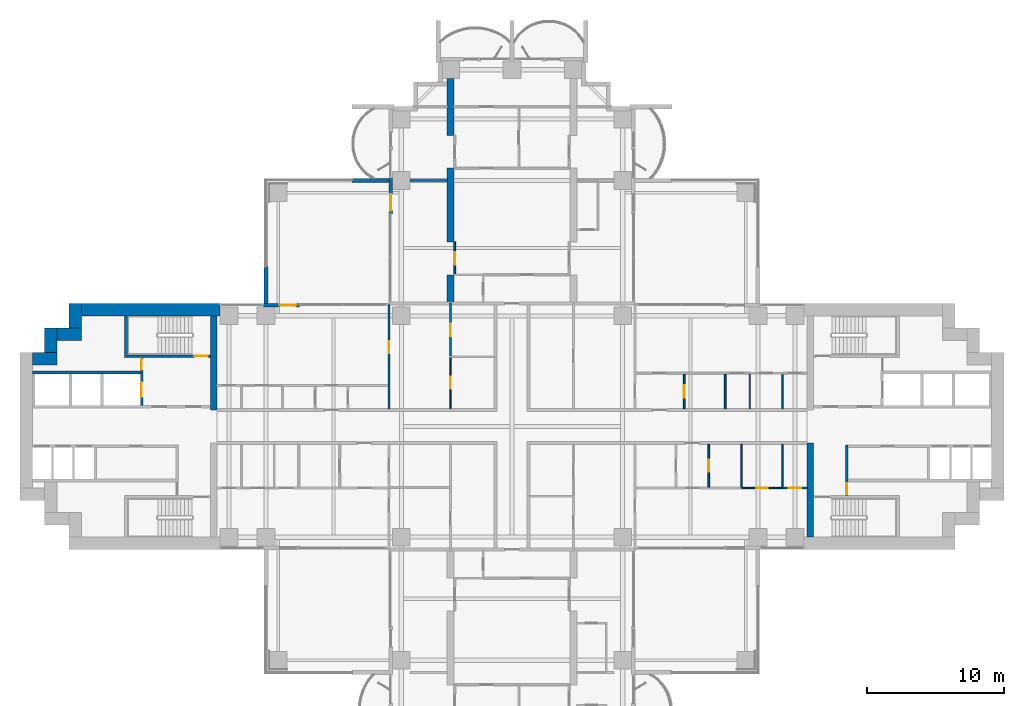
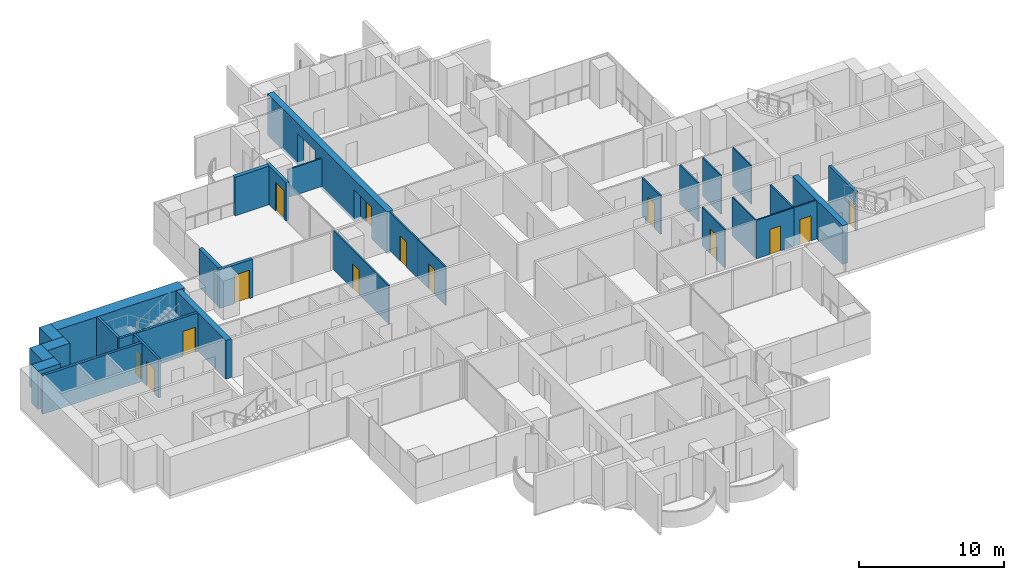
# One storey, part 13 of 21: 31 walls, 14 doors, 14 openings.
"""IFC4 building model written with IfcOpenShell, lengths in metres."""

import ifcopenshell
import ifcopenshell.guid

model = None  # the IFC model being written
_history = None  # IfcOwnerHistory: only IFC2X3 demands one
_inside = {}  # id of a spatial element -> (the spatial element, [elements in it])
_under = {}  # id of a project, library or spatial element -> (it, [spatial elements below it])
_declared = {}  # id of a project -> (the project, [libraries it declares])
_typed = {}  # id of a type object -> (the type object, [elements of that type])
_made_of = {}  # id of a material, layer set ... -> (it, [elements and type objects made of it])


def new_model(schema):
    """Start an empty IFC model of exactly this schema.

    Asked for "IFC4X3", IfcOpenShell would pick the latest addendum, in which some entities
    have other attributes; the version numbers below select the first issue.
    IFC2X3 requires an IfcOwnerHistory on every rooted entity: one is made here for all.
    """
    global model, _history
    if schema == "IFC4X3":
        model = ifcopenshell.file(schema_version=(4, 3, 0, 0))
    else:
        model = ifcopenshell.file(schema=schema)
    _inside.clear()
    _under.clear()
    _declared.clear()
    _typed.clear()
    _made_of.clear()
    _history = None
    if model.schema == "IFC2X3":
        org = make("IfcOrganization", Name="unknown")
        user = make(
            "IfcPersonAndOrganization",
            ThePerson=make("IfcPerson", FamilyName="unknown"),
            TheOrganization=org,
        )
        app = make(
            "IfcApplication",
            ApplicationDeveloper=org,
            Version="unknown",
            ApplicationFullName="unknown",
            ApplicationIdentifier="unknown",
        )
        _history = make(
            "IfcOwnerHistory",
            OwningUser=user,
            OwningApplication=app,
            ChangeAction="ADDED",
            CreationDate=0,
        )
    return model


def make(cls, **values):
    """One entity of the class cls with the attributes given. An attribute that is None is left unset."""
    return model.create_entity(
        cls, **{name: value for name, value in values.items() if value is not None}
    )


def rooted(cls, **values):
    """An entity with a GlobalId (a new one), such as an element, a storey or a relation."""
    return make(cls, GlobalId=ifcopenshell.guid.new(), OwnerHistory=_history, **values)


def si_unit(unit_type, name, prefix=None):
    """IfcSIUnit, for example si_unit("LENGTHUNIT", "METRE", prefix="MILLI")."""
    return make("IfcSIUnit", UnitType=unit_type, Prefix=prefix, Name=name)


def assignment(units):
    """IfcUnitAssignment: the units of a project."""
    return None if units is None else make("IfcUnitAssignment", Units=units)


def point(xyz):
    """IfcCartesianPoint."""
    return None if xyz is None else make("IfcCartesianPoint", Coordinates=xyz)


def direction(xyz):
    """IfcDirection."""
    return None if xyz is None else make("IfcDirection", DirectionRatios=xyz)


def frame(location, z_axis=None, x_axis=None):
    """IfcAxis2Placement3D, a coordinate frame: its origin and axes. An axis left out is left unset."""
    return make(
        "IfcAxis2Placement3D",
        Location=point(location),
        Axis=direction(z_axis),
        RefDirection=direction(x_axis),
    )


def frame_2d(location, x_axis=None):
    """IfcAxis2Placement2D, a coordinate frame in the plane: its origin and x axis."""
    return make(
        "IfcAxis2Placement2D", Location=point(location), RefDirection=direction(x_axis)
    )


def origin():
    """The frame at (0, 0, 0) with its axes left unset."""
    return frame((0.0, 0.0, 0.0))


def place(relative_to, where):
    """IfcLocalPlacement: puts the frame where relative to a parent placement (None: the world)."""
    return make(
        "IfcLocalPlacement", PlacementRelTo=relative_to, RelativePlacement=where
    )


def context(
    kind, dimensions, precision=None, world=None, true_north=None, identifier=None
):
    """IfcGeometricRepresentationContext, for example the 3D "Model" context."""
    return make(
        "IfcGeometricRepresentationContext",
        ContextIdentifier=identifier,
        ContextType=kind,
        CoordinateSpaceDimension=dimensions,
        Precision=precision,
        WorldCoordinateSystem=world,
        TrueNorth=true_north,
    )


def subcontext(parent, identifier, kind, view, scale=None):
    """IfcGeometricRepresentationSubContext, for example "Body" below "Model"."""
    return make(
        "IfcGeometricRepresentationSubContext",
        ContextIdentifier=identifier,
        ContextType=kind,
        ParentContext=parent,
        TargetScale=scale,
        TargetView=view,
    )


def project(units=None, contexts=None):
    """IfcProject with its units and contexts."""
    return rooted(
        "IfcProject",
        Name="project",
        RepresentationContexts=contexts,
        UnitsInContext=assignment(units),
    )


def spatial(cls, under=None, at=None, **own):
    """A site, building, storey or space (cls), placed at a placement, below another one or the project."""
    s = rooted(cls, ObjectPlacement=at, **own)
    if under is not None:
        _under.setdefault(under.id(), (under, []))[1].append(s)
    return s


def polyline(points):
    """IfcPolyline through the points."""
    return make("IfcPolyline", Points=[point(p) for p in points])


def profile(cls, at=None, kind="AREA", **sizes):
    """A parametric profile (cls). Its sizes go by their IFC names, for example OverallWidth=200.0."""
    return make(cls, ProfileType=kind, Position=at, **sizes)


def rectangle(**sizes):
    """IfcRectangleProfileDef."""
    return profile("IfcRectangleProfileDef", **sizes)


def outline(outer, holes=None, kind="AREA"):
    """IfcArbitraryClosedProfileDef: a profile drawn as a closed curve; with holes, ...WithVoids."""
    if holes is None:
        return make("IfcArbitraryClosedProfileDef", ProfileType=kind, OuterCurve=outer)
    return make(
        "IfcArbitraryProfileDefWithVoids",
        ProfileType=kind,
        OuterCurve=outer,
        InnerCurves=holes,
    )


def extrude(swept, where, along, depth):
    """IfcExtrudedAreaSolid: the profile swept, set in the frame where, extruded along a direction by depth."""
    return make(
        "IfcExtrudedAreaSolid",
        SweptArea=swept,
        Position=where,
        ExtrudedDirection=direction(along),
        Depth=depth,
    )


def shape(context_of_items, identifier, shape_type, items):
    """IfcShapeRepresentation: the items that make up one representation, for example the "Body"."""
    return make(
        "IfcShapeRepresentation",
        ContextOfItems=context_of_items,
        RepresentationIdentifier=identifier,
        RepresentationType=shape_type,
        Items=items,
    )


def material(Name=None, Category=None):
    """IfcMaterial."""
    return make("IfcMaterial", Name=Name, Category=Category)


def layer(
    of_material, thickness, ventilated=None, Name=None, Category=None, Priority=None
):
    """IfcMaterialLayer: one layer of a wall or slab, of a material (None: an air gap)."""
    return make(
        "IfcMaterialLayer",
        Material=of_material,
        LayerThickness=thickness,
        IsVentilated=ventilated,
        Name=Name,
        Category=Category,
        Priority=Priority,
    )


def layer_set(layers, Name=None):
    """IfcMaterialLayerSet."""
    return make("IfcMaterialLayerSet", MaterialLayers=layers, LayerSetName=Name)


def material_profile(
    of_material, cross_section, Name=None, Category=None, Priority=None
):
    """IfcMaterialProfile: a cross section and its material."""
    return make(
        "IfcMaterialProfile",
        Name=Name,
        Material=of_material,
        Profile=cross_section,
        Priority=Priority,
        Category=Category,
    )


def profile_set(profiles, Name=None, composite=None):
    """IfcMaterialProfileSet."""
    return make(
        "IfcMaterialProfileSet",
        Name=Name,
        MaterialProfiles=profiles,
        CompositeProfile=composite,
    )


def made_of(thing, what):
    """Note that an element or type object is made of a material, layer set ...; save() writes the relation."""
    if what is not None:
        _made_of.setdefault(what.id(), (what, []))[1].append(thing)
    return thing


def type_object(cls, material=None, **own):
    """A type object (cls), such as IfcWallType, which elements share."""
    return made_of(rooted(cls, **own), material)


def element(
    cls,
    number,
    at=None,
    inside=None,
    cuts=None,
    type_object=None,
    material=None,
    context=None,
    identifier="Body",
    shape_type=None,
    held_by="IfcProductDefinitionShape",
    body=None,
    shapes=None,
    **own,
):
    """One element of the class cls, such as IfcWall. Its Tag is "e" and its number.

    at: its placement. inside: the storey or other place that contains it. cuts: it is an
    opening in that element (IfcRelVoidsElement). A single representation is given by context,
    identifier, shape_type and body (its items); several are given by shapes. held_by: the class
    of the entity that holds the representations. save() writes the other relations.
    """
    e = rooted(cls, Tag="e%d" % number, ObjectPlacement=at, **own)
    if body is not None:
        shapes = [shape(context, identifier, shape_type, body)]
    if shapes is not None:
        e.Representation = make(held_by, Representations=shapes)
    if inside is not None:
        _inside.setdefault(inside.id(), (inside, []))[1].append(e)
    if cuts is not None:
        rooted(
            "IfcRelVoidsElement", RelatingBuildingElement=cuts, RelatedOpeningElement=e
        )
    if type_object is not None:
        _typed.setdefault(type_object.id(), (type_object, []))[1].append(e)
    return made_of(e, material)


def fill(opening, filler):
    """IfcRelFillsElement: the door or window that sits in an opening."""
    return rooted(
        "IfcRelFillsElement",
        RelatingOpeningElement=opening,
        RelatedBuildingElement=filler,
    )


def aggregate(whole, parts):
    """IfcRelAggregates: a whole, such as a stair, and the parts it consists of."""
    return rooted("IfcRelAggregates", RelatingObject=whole, RelatedObjects=parts)


def save(model, path):
    """Write the relations noted so far, then the file.

    IfcRelAggregates (storeys below a building ...), IfcRelContainedInSpatialStructure (elements
    in a storey), IfcRelDefinesByType, IfcRelAssociatesMaterial and IfcRelDeclares: one each for
    every whole, place, type object, material and project.
    """
    for whole, parts in _under.values():
        aggregate(whole, parts)
    for where, things in _inside.values():
        rooted(
            "IfcRelContainedInSpatialStructure",
            RelatedElements=things,
            RelatingStructure=where,
        )
    for kind, things in _typed.values():
        rooted("IfcRelDefinesByType", RelatedObjects=things, RelatingType=kind)
    for what, things in _made_of.values():
        rooted("IfcRelAssociatesMaterial", RelatedObjects=things, RelatingMaterial=what)
    for by, libraries in _declared.values():
        rooted("IfcRelDeclares", RelatingContext=by, RelatedDefinitions=libraries)
    model.write(path)


model = new_model("IFC4")

# Units and contexts
model_context = context("Model", 3, precision=1e-05, world=origin(), true_north=direction((0.0, 1.0)))
body_context = subcontext(model_context, "Body", "Model", "MODEL_VIEW")
ifc_project = project(units=[si_unit("LENGTHUNIT", "METRE"), si_unit("AREAUNIT", "SQUARE_METRE"), si_unit("VOLUMEUNIT", "CUBIC_METRE"), si_unit("PLANEANGLEUNIT", "RADIAN"), si_unit("MASSUNIT", "GRAM", prefix="KILO")], contexts=[model_context])

# Site, building, storey
site_placement = place(None, origin())
site = spatial("IfcSite", under=ifc_project, at=site_placement, CompositionType="ELEMENT")
building_placement = place(site_placement, origin())
building = spatial("IfcBuilding", under=site, at=building_placement, Name="Perihelion Cross Residences", CompositionType="ELEMENT")
storey_placement = place(building_placement, frame((0.0, 0.0, 47.0)))
storey = spatial("IfcBuildingStorey", under=building, at=storey_placement, Name="L08", CompositionType="ELEMENT", Elevation=47.0)

# Wall, opening, door
ifc_material_1 = material(Name="Concrete C30/37, bronze-clad", Category="concrete")
ifc_layer_1 = layer(ifc_material_1, 0.25)
ifc_layer_set_1 = layer_set([ifc_layer_1], Name="Bronze-clad pier wall 250")
wall_type_1 = type_object("IfcWallType", Name="Bronze-clad pier wall 250", PredefinedType="SOLIDWALL", material=ifc_layer_set_1)
wall_1_placement = place(storey_placement, frame((-8.875, 18.199951171875, 0.0), z_axis=(0.0, 0.0, 1.0), x_axis=(0.0, -1.0, 0.0)))
wall_1 = element("IfcWall", 1, at=wall_1_placement, inside=storey, type_object=wall_type_1, Name="Wall FW1 L08 north side west bay 2 pier", PredefinedType="SOLIDWALL", context=body_context, shape_type="SweptSolid", body=[
    extrude(rectangle(XDim=2.64990234375, YDim=0.25, at=frame_2d((1.324951171875, 0.0))), origin(), (0.0, 0.0, 1.0), 3.25),
])
opening_1_placement = place(wall_1_placement, frame((1.199951171875, 0.0, 0.0)))
opening_1 = element("IfcOpeningElement", 2, at=opening_1_placement, cuts=wall_1, Name="Opening L08.E07", PredefinedType="OPENING", context=body_context, shape_type="SweptSolid", body=[
    extrude(rectangle(XDim=1.199951171875, YDim=2.39990234375, at=frame_2d((0.60009765625, 1.199951171875))), frame((0.0, 0.135009765625, 0.0), z_axis=(0.0, -1.0, 0.0), x_axis=(1.0, 0.0, 0.0)), (0.0, 0.0, 1.0), 0.27001953125),
])
ifc_material_2 = material(Name="Bronze anodised aluminium, glazed", Category="aluminium")
door_type_1 = type_object("IfcDoorType", Name="Balcony door 1200 x 2400", OperationType="NOTDEFINED", PredefinedType="DOOR", material=ifc_material_2)
door_1_placement = place(opening_1_placement, origin())
door_1 = element("IfcDoor", 3, at=door_1_placement, inside=storey, type_object=door_type_1, Name="Door L08.E07 north side west bay 2", OperationType="SINGLE_SWING_RIGHT", OverallHeight=2.39990234375, OverallWidth=1.199951171875, PredefinedType="DOOR", context=body_context, shape_type="SweptSolid", body=[
    extrude(rectangle(XDim=1.199951171875, YDim=2.39990234375, at=frame_2d((0.60009765625, 1.199951171875))), frame((0.0, 0.02490234375, 0.0), z_axis=(0.0, -1.0, 0.0), x_axis=(1.0, 0.0, 0.0)), (0.0, 0.0, 1.0), 0.050048828125),
])
fill(opening_1, door_1)

wall_2_placement = place(storey_placement, frame((-15.550048828125, 8.875, 0.0), z_axis=(0.0, 0.0, 1.0), x_axis=(-1.0, 0.0, 0.0)))
wall_2 = element("IfcWall", 4, at=wall_2_placement, inside=storey, type_object=wall_type_1, Name="Wall FW1 L08 west side north bay 1 pier", PredefinedType="SOLIDWALL", context=body_context, shape_type="SweptSolid", body=[
    extrude(rectangle(XDim=2.64990234375, YDim=0.25, at=frame_2d((1.324951171875, 0.0))), origin(), (0.0, 0.0, 1.0), 3.25),
])
opening_2_placement = place(wall_2_placement, frame((0.25, 0.0, 0.0)))
opening_2 = element("IfcOpeningElement", 5, at=opening_2_placement, cuts=wall_2, Name="Opening L08.E08", PredefinedType="OPENING", context=body_context, shape_type="SweptSolid", body=[
    extrude(rectangle(XDim=1.199951171875, YDim=2.39990234375, at=frame_2d((0.60009765625, 1.199951171875))), frame((0.0, 0.135009765625, 0.0), z_axis=(0.0, -1.0, 0.0), x_axis=(1.0, 0.0, 0.0)), (0.0, 0.0, 1.0), 0.27001953125),
])
door_2_placement = place(opening_2_placement, origin())
door_2 = element("IfcDoor", 6, at=door_2_placement, inside=storey, type_object=door_type_1, Name="Door L08.E08 west side north bay 1", OperationType="SINGLE_SWING_LEFT", OverallHeight=2.39990234375, OverallWidth=1.199951171875, PredefinedType="DOOR", context=body_context, shape_type="SweptSolid", body=[
    extrude(rectangle(XDim=1.199951171875, YDim=2.39990234375, at=frame_2d((0.60009765625, 1.199951171875))), frame((0.0, 0.02490234375, 0.0), z_axis=(0.0, -1.0, 0.0), x_axis=(1.0, 0.0, 0.0)), (0.0, 0.0, 1.0), 0.050048828125),
])
fill(opening_2, door_2)

# Walls
ifc_material_3 = material(Name="Concrete C60/75", Category="concrete")
ifc_layer_2 = layer(ifc_material_3, 0.449951171875)
ifc_layer_set_2 = layer_set([ifc_layer_2], Name="Core wall, inner 450")
wall_type_2 = type_object("IfcWallType", Name="Core wall, inner 450", PredefinedType="SHEAR", material=ifc_layer_set_2)
for number, where, z_axis, x_axis, name in (
    (7, (21.824951171875, -8.10009765625, 0.0), (0.0, 0.0, 1.0), (0.0, 1.0, 0.0), "East core core wall, inner"),
    (8, (-21.824951171875, 1.199951171875, 0.0), (0.0, 0.0, 1.0), (0.0, 1.0, 0.0), "West core core wall, inner"),
):
    element("IfcWall", number, at=place(storey_placement, frame(where, z_axis=z_axis, x_axis=x_axis)), inside=storey, type_object=wall_type_2, Name=name, PredefinedType="SHEAR", context=body_context, shape_type="SweptSolid", body=[
        extrude(rectangle(XDim=6.900146484375, YDim=0.449951171875, at=frame_2d((3.4501953125, 0.0))), origin(), (0.0, 0.0, 1.0), 3.25),
    ])
ifc_material_4 = material(Name="Concrete C60/75", Category="concrete")
ifc_layer_3 = layer(ifc_material_4, 0.89990234375)
ifc_layer_set_3 = layer_set([ifc_layer_3], Name="Core wall, outer 900")
wall_type_3 = type_object("IfcWallType", Name="Core wall, outer 900", PredefinedType="SHEAR", material=ifc_layer_set_3)
for number, where, z_axis, x_axis, name in (
    (9, (-35.10009765625, 4.949951171875, 0.0), (0.0, 0.0, 1.0), (1.0, 0.0, 0.0), "West core core wall, outer"),
    (10, (-33.75, 5.39990234375, 0.0), (0.0, 0.0, 1.0), (0.0, 1.0, 0.0), "West core core wall, outer"),
    (11, (-33.300048828125, 6.75, 0.0), (0.0, 0.0, 1.0), (1.0, 0.0, 0.0), "West core core wall, outer"),
    (12, (-31.949951171875, 7.199951171875, 0.0), (0.0, 0.0, 1.0), (0.0, 1.0, 0.0), "West core core wall, outer"),
):
    element("IfcWall", number, at=place(storey_placement, frame(where, z_axis=z_axis, x_axis=x_axis)), inside=storey, type_object=wall_type_3, Name=name, PredefinedType="SHEAR", context=body_context, shape_type="SweptSolid", body=[
        extrude(rectangle(XDim=1.800048828125, YDim=0.89990234375, at=frame_2d((0.89990234375, 0.0))), origin(), (0.0, 0.0, 1.0), 3.25),
    ])
wall_3_placement = place(storey_placement, frame((-31.5, 8.550048828125, 0.0), z_axis=(0.0, 0.0, 1.0), x_axis=(1.0, 0.0, 0.0)))
element("IfcWall", 13, at=wall_3_placement, inside=storey, type_object=wall_type_3, Name="West core core wall, outer", PredefinedType="SHEAR", context=body_context, shape_type="SweptSolid", body=[
    extrude(rectangle(XDim=10.14990234375, YDim=0.89990234375, at=frame_2d((5.074951171875, 0.0))), origin(), (0.0, 0.0, 1.0), 3.25),
])

# Wall, opening, door
ifc_material_5 = material(Name="Plasterboard partition")
ifc_layer_4 = layer(ifc_material_5, 0.1201171875)
ifc_layer_set_4 = layer_set([ifc_layer_4], Name="Infill panel 120")
wall_type_4 = type_object("IfcWallType", Name="Infill panel 120", PredefinedType="PARTITIONING", material=ifc_layer_set_4)
wall_4_placement = place(storey_placement, frame((-4.18994140625, 11.10009765625, 0.0), z_axis=(0.0, 0.0, 1.0), x_axis=(0.0, 1.0, 0.0)))
wall_4 = element("IfcWall", 14, at=wall_4_placement, inside=storey, type_object=wall_type_4, Name="Partition L08 WI03", PredefinedType="PARTITIONING", context=body_context, shape_type="SweptSolid", body=[
    extrude(rectangle(XDim=2.39990234375, YDim=0.1201171875, at=frame_2d((1.199951171875, 0.0))), origin(), (0.0, 0.0, 1.0), 2.39990234375),
])
opening_3_placement = place(wall_4_placement, frame((0.75, 0.0, 0.0)))
opening_3 = element("IfcOpeningElement", 15, at=opening_3_placement, cuts=wall_4, Name="Opening L08.A53", PredefinedType="OPENING", context=body_context, shape_type="SweptSolid", body=[
    extrude(rectangle(XDim=0.89990234375, YDim=2.10009765625, at=frame_2d((0.449951171875, 1.050048828125))), frame((0.0, 0.070068359375, 0.0), z_axis=(0.0, -1.0, 0.0), x_axis=(1.0, 0.0, 0.0)), (0.0, 0.0, 1.0), 0.14013671875),
])
ifc_material_6 = material(Name="Timber door leaf", Category="wood")
door_type_2 = type_object("IfcDoorType", Name="Interior room door 900 x 2100", OperationType="SINGLE_SWING_LEFT", PredefinedType="DOOR", material=ifc_material_6)
door_3_placement = place(opening_3_placement, origin())
door_3 = element("IfcDoor", 16, at=door_3_placement, inside=storey, type_object=door_type_2, Name="Door L08.A53", OperationType="SINGLE_SWING_RIGHT", OverallHeight=2.10009765625, OverallWidth=0.89990234375, PredefinedType="DOOR", context=body_context, shape_type="SweptSolid", body=[
    extrude(rectangle(XDim=0.89990234375, YDim=2.10009765625, at=frame_2d((0.449951171875, 1.050048828125))), frame((0.0, 0.02490234375, 0.0), z_axis=(0.0, -1.0, 0.0), x_axis=(1.0, 0.0, 0.0)), (0.0, 0.0, 1.0), 0.050048828125),
])
fill(opening_3, door_3)

ifc_material_7 = material(Name="Concrete C50/60", Category="concrete")
ifc_layer_5 = layer(ifc_material_7, 0.199951171875)
ifc_layer_set_5 = layer_set([ifc_layer_5], Name="Lobby wall 200")
wall_type_5 = type_object("IfcWallType", Name="Lobby wall 200", PredefinedType="SOLIDWALL", material=ifc_layer_set_5)
wall_5_placement = place(storey_placement, frame((24.5, -5.050048828125, 0.0), z_axis=(0.0, 0.0, 1.0), x_axis=(0.0, 1.0, 0.0)))
wall_5 = element("IfcWall", 17, at=wall_5_placement, inside=storey, type_object=wall_type_5, Name="East core lobby wall", PredefinedType="SOLIDWALL", context=body_context, shape_type="SweptSolid", body=[
    extrude(rectangle(XDim=3.699951171875, YDim=0.199951171875, at=frame_2d((1.85009765625, 0.0))), origin(), (0.0, 0.0, 1.0), 3.25),
])
opening_4_placement = place(wall_5_placement, frame((0.10009765625, 0.0, 0.0)))
opening_4 = element("IfcOpeningElement", 18, at=opening_4_placement, cuts=wall_5, Name="Opening L08.C08", PredefinedType="OPENING", context=body_context, shape_type="SweptSolid", body=[
    extrude(rectangle(XDim=0.800048828125, YDim=2.10009765625, at=frame_2d((0.39990234375, 1.050048828125))), frame((0.0, 0.10986328125, 0.0), z_axis=(0.0, -1.0, 0.0), x_axis=(1.0, 0.0, 0.0)), (0.0, 0.0, 1.0), 0.219970703125),
])
ifc_material_8 = material(Name="Steel, powder coated", Category="steel")
door_type_3 = type_object("IfcDoorType", Name="Riser door 800", OperationType="SINGLE_SWING_LEFT", PredefinedType="DOOR", material=ifc_material_8)
door_4_placement = place(opening_4_placement, origin())
door_4 = element("IfcDoor", 19, at=door_4_placement, inside=storey, type_object=door_type_3, Name="East core riser door", OperationType="SINGLE_SWING_LEFT", OverallHeight=2.10009765625, OverallWidth=0.800048828125, PredefinedType="DOOR", context=body_context, shape_type="SweptSolid", body=[
    extrude(rectangle(XDim=0.800048828125, YDim=2.10009765625, at=frame_2d((0.39990234375, 1.050048828125))), frame((0.0, 0.02490234375, 0.0), z_axis=(0.0, -1.0, 0.0), x_axis=(1.0, 0.0, 0.0)), (0.0, 0.0, 1.0), 0.050048828125),
])
fill(opening_4, door_4)

ifc_material_9 = material(Name="Plasterboard partition")
ifc_layer_6 = layer(ifc_material_9, 0.1201171875)
ifc_layer_set_6 = layer_set([ifc_layer_6], Name="Partition wall 120")
wall_type_6 = type_object("IfcWallType", Name="Partition wall 120", PredefinedType="PARTITIONING", material=ifc_layer_set_6)
wall_6_placement = place(storey_placement, frame((12.60009765625, 3.840087890625, 0.0), z_axis=(0.0, 0.0, 1.0), x_axis=(0.0, -1.0, 0.0)))
wall_6 = element("IfcWall", 20, at=wall_6_placement, inside=storey, type_object=wall_type_6, Name="Partition L08 W011", PredefinedType="PARTITIONING", context=body_context, shape_type="SweptSolid", body=[
    extrude(rectangle(XDim=2.5400390625, YDim=0.1201171875, at=frame_2d((1.27001953125, 0.0))), origin(), (0.0, 0.0, 1.0), 3.25),
])
opening_5_placement = place(wall_6_placement, frame((0.820068359375, 0.0, 0.0)))
opening_5 = element("IfcOpeningElement", 21, at=opening_5_placement, cuts=wall_6, Name="Opening L08.A04", PredefinedType="OPENING", context=body_context, shape_type="SweptSolid", body=[
    extrude(rectangle(XDim=0.89990234375, YDim=2.10009765625, at=frame_2d((0.449951171875, 1.050048828125))), frame((0.0, 0.070068359375, 0.0), z_axis=(0.0, -1.0, 0.0), x_axis=(1.0, 0.0, 0.0)), (0.0, 0.0, 1.0), 0.14013671875),
])
door_5_placement = place(opening_5_placement, origin())
door_5 = element("IfcDoor", 22, at=door_5_placement, inside=storey, type_object=door_type_2, Name="Door L08.A04", OperationType="SINGLE_SWING_RIGHT", OverallHeight=2.10009765625, OverallWidth=0.89990234375, PredefinedType="DOOR", context=body_context, shape_type="SweptSolid", body=[
    extrude(rectangle(XDim=0.89990234375, YDim=2.10009765625, at=frame_2d((0.449951171875, 1.050048828125))), frame((0.0, 0.02490234375, 0.0), z_axis=(0.0, -1.0, 0.0), x_axis=(1.0, 0.0, 0.0)), (0.0, 0.0, 1.0), 0.050048828125),
])
fill(opening_5, door_5)

# Wall
wall_7_placement = place(storey_placement, frame((15.60009765625, 3.840087890625, 0.0), z_axis=(0.0, 0.0, 1.0), x_axis=(0.0, -1.0, 0.0)))
element("IfcWall", 23, at=wall_7_placement, inside=storey, type_object=wall_type_6, Name="Partition L08 W014", PredefinedType="PARTITIONING", context=body_context, shape_type="SweptSolid", body=[
    extrude(rectangle(XDim=2.5400390625, YDim=0.1201171875, at=frame_2d((1.27001953125, 0.0))), origin(), (0.0, 0.0, 1.0), 3.25),
])

# Wall, opening, door
wall_8_placement = place(storey_placement, frame((14.39990234375, -1.300048828125, 0.0), z_axis=(0.0, 0.0, 1.0), x_axis=(0.0, -1.0, 0.0)))
wall_8 = element("IfcWall", 24, at=wall_8_placement, inside=storey, type_object=wall_type_6, Name="Partition L08 W023", PredefinedType="PARTITIONING", context=body_context, shape_type="SweptSolid", body=[
    extrude(rectangle(XDim=3.139892578125, YDim=0.1201171875, at=frame_2d((1.56982421875, 0.0))), origin(), (0.0, 0.0, 1.0), 3.25),
])
opening_6_placement = place(wall_8_placement, frame((1.1201171875, 0.0, 0.0)))
opening_6 = element("IfcOpeningElement", 25, at=opening_6_placement, cuts=wall_8, Name="Opening L08.A15", PredefinedType="OPENING", context=body_context, shape_type="SweptSolid", body=[
    extrude(rectangle(XDim=0.89990234375, YDim=2.10009765625, at=frame_2d((0.449951171875, 1.050048828125))), frame((0.0, 0.070068359375, 0.0), z_axis=(0.0, -1.0, 0.0), x_axis=(1.0, 0.0, 0.0)), (0.0, 0.0, 1.0), 0.14013671875),
])
door_6_placement = place(opening_6_placement, origin())
door_6 = element("IfcDoor", 26, at=door_6_placement, inside=storey, type_object=door_type_2, Name="Door L08.A15", OperationType="SINGLE_SWING_LEFT", OverallHeight=2.10009765625, OverallWidth=0.89990234375, PredefinedType="DOOR", context=body_context, shape_type="SweptSolid", body=[
    extrude(rectangle(XDim=0.89990234375, YDim=2.10009765625, at=frame_2d((0.449951171875, 1.050048828125))), frame((0.0, 0.02490234375, 0.0), z_axis=(0.0, -1.0, 0.0), x_axis=(1.0, 0.0, 0.0)), (0.0, 0.0, 1.0), 0.050048828125),
])
fill(opening_6, door_6)

wall_9_placement = place(storey_placement, frame((21.60009765625, -4.5, 0.0), z_axis=(0.0, 0.0, 1.0), x_axis=(-1.0, 0.0, 0.0)))
wall_9 = element("IfcWall", 27, at=wall_9_placement, inside=storey, type_object=wall_type_6, Name="Partition L08 W027", PredefinedType="PARTITIONING", context=body_context, shape_type="SweptSolid", body=[
    extrude(rectangle(XDim=1.800048828125, YDim=0.1201171875, at=frame_2d((0.89990234375, 0.0))), origin(), (0.0, 0.0, 1.0), 3.25),
])
opening_7_placement = place(wall_9_placement, frame((0.449951171875, 0.0, 0.0)))
opening_7 = element("IfcOpeningElement", 28, at=opening_7_placement, cuts=wall_9, Name="Opening L08.A13", PredefinedType="OPENING", context=body_context, shape_type="SweptSolid", body=[
    extrude(rectangle(XDim=0.89990234375, YDim=2.10009765625, at=frame_2d((0.449951171875, 1.050048828125))), frame((0.0, 0.070068359375, 0.0), z_axis=(0.0, -1.0, 0.0), x_axis=(1.0, 0.0, 0.0)), (0.0, 0.0, 1.0), 0.14013671875),
])
door_7_placement = place(opening_7_placement, origin())
door_7 = element("IfcDoor", 29, at=door_7_placement, inside=storey, type_object=door_type_2, Name="Door L08.A13", OperationType="SINGLE_SWING_LEFT", OverallHeight=2.10009765625, OverallWidth=0.89990234375, PredefinedType="DOOR", context=body_context, shape_type="SweptSolid", body=[
    extrude(rectangle(XDim=0.89990234375, YDim=2.10009765625, at=frame_2d((0.449951171875, 1.050048828125))), frame((0.0, 0.02490234375, 0.0), z_axis=(0.0, -1.0, 0.0), x_axis=(1.0, 0.0, 0.0)), (0.0, 0.0, 1.0), 0.050048828125),
])
fill(opening_7, door_7)

wall_10_placement = place(storey_placement, frame((-9.0, 8.919921875, 0.0), z_axis=(0.0, 0.0, 1.0), x_axis=(0.0, -1.0, 0.0)))
wall_10 = element("IfcWall", 30, at=wall_10_placement, inside=storey, type_object=wall_type_6, Name="Partition L08 W033", PredefinedType="PARTITIONING", context=body_context, shape_type="SweptSolid", body=[
    extrude(rectangle(XDim=7.619873046875, YDim=0.1201171875, at=frame_2d((3.81005859375, 0.0))), origin(), (0.0, 0.0, 1.0), 3.25),
])
opening_8_placement = place(wall_10_placement, frame((2.669921875, 0.0, 0.0)))
opening_8 = element("IfcOpeningElement", 31, at=opening_8_placement, cuts=wall_10, Name="Opening L08.A20", PredefinedType="OPENING", context=body_context, shape_type="SweptSolid", body=[
    extrude(rectangle(XDim=0.89990234375, YDim=2.10009765625, at=frame_2d((0.449951171875, 1.050048828125))), frame((0.0, 0.070068359375, 0.0), z_axis=(0.0, -1.0, 0.0), x_axis=(1.0, 0.0, 0.0)), (0.0, 0.0, 1.0), 0.14013671875),
])
door_8_placement = place(opening_8_placement, origin())
door_8 = element("IfcDoor", 32, at=door_8_placement, inside=storey, type_object=door_type_2, Name="Door L08.A20", OperationType="SINGLE_SWING_RIGHT", OverallHeight=2.10009765625, OverallWidth=0.89990234375, PredefinedType="DOOR", context=body_context, shape_type="SweptSolid", body=[
    extrude(rectangle(XDim=0.89990234375, YDim=2.10009765625, at=frame_2d((0.449951171875, 1.050048828125))), frame((0.0, 0.02490234375, 0.0), z_axis=(0.0, -1.0, 0.0), x_axis=(1.0, 0.0, 0.0)), (0.0, 0.0, 1.0), 0.050048828125),
])
fill(opening_8, door_8)

wall_11_placement = place(storey_placement, frame((-4.5, 9.0, 0.0), z_axis=(0.0, 0.0, 1.0), x_axis=(0.0, -1.0, 0.0)))
wall_11 = element("IfcWall", 33, at=wall_11_placement, inside=storey, type_object=wall_type_6, Name="Partition L08 W040", PredefinedType="PARTITIONING", context=body_context, shape_type="SweptSolid", body=[
    extrude(rectangle(XDim=3.89990234375, YDim=0.1201171875, at=frame_2d((1.949951171875, 0.0))), origin(), (0.0, 0.0, 1.0), 3.25),
])
opening_9_placement = place(wall_11_placement, frame((1.5, 0.0, 0.0)))
opening_9 = element("IfcOpeningElement", 34, at=opening_9_placement, cuts=wall_11, Name="Opening L08.A18", PredefinedType="OPENING", context=body_context, shape_type="SweptSolid", body=[
    extrude(rectangle(XDim=0.89990234375, YDim=2.10009765625, at=frame_2d((0.449951171875, 1.050048828125))), frame((0.0, 0.070068359375, 0.0), z_axis=(0.0, -1.0, 0.0), x_axis=(1.0, 0.0, 0.0)), (0.0, 0.0, 1.0), 0.14013671875),
])
door_9_placement = place(opening_9_placement, origin())
door_9 = element("IfcDoor", 35, at=door_9_placement, inside=storey, type_object=door_type_2, Name="Door L08.A18", OperationType="SINGLE_SWING_LEFT", OverallHeight=2.10009765625, OverallWidth=0.89990234375, PredefinedType="DOOR", context=body_context, shape_type="SweptSolid", body=[
    extrude(rectangle(XDim=0.89990234375, YDim=2.10009765625, at=frame_2d((0.449951171875, 1.050048828125))), frame((0.0, 0.02490234375, 0.0), z_axis=(0.0, -1.0, 0.0), x_axis=(1.0, 0.0, 0.0)), (0.0, 0.0, 1.0), 0.050048828125),
])
fill(opening_9, door_9)

# Walls
wall_12_placement = place(storey_placement, frame((-7.449951171875, 18.0, 0.0), z_axis=(0.0, 0.0, 1.0), x_axis=(1.0, 0.0, 0.0)))
element("IfcWall", 36, at=wall_12_placement, inside=storey, type_object=wall_type_6, Name="Partition L08 W064", PredefinedType="PARTITIONING", context=body_context, shape_type="SweptSolid", body=[
    extrude(rectangle(XDim=2.699951171875, YDim=0.1201171875, at=frame_2d((1.35009765625, 0.0))), origin(), (0.0, 0.0, 1.0), 2.345947265625),
])
ifc_material_10 = material(Name="Precast concrete C50/60", Category="concrete")
ifc_layer_7 = layer(ifc_material_10, 0.300048828125)
ifc_layer_set_7 = layer_set([ifc_layer_7], Name="Precast concrete C50/60 blade wall 300")
wall_type_7 = type_object("IfcWallType", Name="Precast concrete C50/60 blade wall 300", PredefinedType="SOLIDWALL", material=ifc_layer_set_7)
for number, where, z_axis, x_axis, name in (
    (37, (-18.0, 8.75, 0.0), (0.0, 0.0, 1.0), (0.0, 1.0, 0.0), "Wall BL1 L08 no. 2"),
    (38, (-8.75, 18.0, 0.0), (0.0, 0.0, 1.0), (-1.0, 0.0, 0.0), "Wall BL1 L08 no. 7"),
):
    element("IfcWall", number, at=place(storey_placement, frame(where, z_axis=z_axis, x_axis=x_axis)), inside=storey, type_object=wall_type_7, Name=name, PredefinedType="SOLIDWALL", context=body_context, shape_type="SweptSolid", body=[
        extrude(rectangle(XDim=2.949951171875, YDim=0.300048828125, at=frame_2d((1.47509765625, 0.0))), origin(), (0.0, 0.0, 1.0), 3.25),
    ])
ifc_material_11 = material(Name="Concrete C50/60", Category="concrete")
ifc_layer_8 = layer(ifc_material_11, 0.199951171875)
ifc_layer_set_8 = layer_set([ifc_layer_8], Name="Shaft wall 200")
wall_type_8 = type_object("IfcWallType", Name="Shaft wall 200", PredefinedType="SOLIDWALL", material=ifc_layer_set_8)
wall_13_placement = place(storey_placement, frame((-35.10009765625, 3.949951171875, 0.0), z_axis=(0.0, 0.0, 1.0), x_axis=(1.0, 0.0, 0.0)))
element("IfcWall", 39, at=wall_13_placement, inside=storey, type_object=wall_type_8, Name="West core shaft wall", PredefinedType="SOLIDWALL", context=body_context, shape_type="SweptSolid", body=[
    extrude(rectangle(XDim=7.900146484375, YDim=0.199951171875, at=frame_2d((3.9501953125, 0.0))), origin(), (0.0, 0.0, 1.0), 3.25),
])

# Wall, openings, doors
wall_14_placement = place(storey_placement, frame((-27.10009765625, 1.550048828125, 0.0), z_axis=(0.0, 0.0, 1.0), x_axis=(0.0, 1.0, 0.0)))
wall_14 = element("IfcWall", 40, at=wall_14_placement, inside=storey, type_object=wall_type_8, Name="West core shaft wall", PredefinedType="SOLIDWALL", context=body_context, shape_type="SweptSolid", body=[
    extrude(rectangle(XDim=3.5, YDim=0.199951171875, at=frame_2d((1.75, 0.0))), origin(), (0.0, 0.0, 1.0), 3.25),
])
opening_10_placement = place(wall_14_placement, frame((0.60009765625, 0.0, 0.0)))
opening_10 = element("IfcOpeningElement", 41, at=opening_10_placement, cuts=wall_14, Name="Opening L08.C12", PredefinedType="OPENING", context=body_context, shape_type="SweptSolid", body=[
    extrude(rectangle(XDim=1.10009765625, YDim=2.10009765625, at=frame_2d((0.550048828125, 1.050048828125))), frame((0.0, 0.10986328125, 0.0), z_axis=(0.0, -1.0, 0.0), x_axis=(1.0, 0.0, 0.0)), (0.0, 0.0, 1.0), 0.219970703125),
])
opening_11_placement = place(wall_14_placement, frame((2.60009765625, 0.0, 0.0)))
opening_11 = element("IfcOpeningElement", 42, at=opening_11_placement, cuts=wall_14, Name="Opening L08.C21", PredefinedType="OPENING", context=body_context, shape_type="SweptSolid", body=[
    extrude(rectangle(XDim=0.800048828125, YDim=2.10009765625, at=frame_2d((0.39990234375, 1.050048828125))), frame((0.0, 0.10986328125, 0.0), z_axis=(0.0, -1.0, 0.0), x_axis=(1.0, 0.0, 0.0)), (0.0, 0.0, 1.0), 0.219970703125),
])
ifc_material_12 = material(Name="Stainless steel", Category="steel")
door_type_4 = type_object("IfcDoorType", Name="Landing door, firefighting lift 1100", OperationType="DOUBLE_DOOR_SLIDING", PredefinedType="DOOR", material=ifc_material_12)
door_10_placement = place(opening_10_placement, origin())
door_10 = element("IfcDoor", 43, at=door_10_placement, inside=storey, type_object=door_type_4, Name="Landing door, West core firefighting and service lift", OperationType="DOUBLE_DOOR_SLIDING", OverallHeight=2.10009765625, OverallWidth=1.10009765625, PredefinedType="DOOR", context=body_context, shape_type="SweptSolid", body=[
    extrude(rectangle(XDim=1.10009765625, YDim=2.10009765625, at=frame_2d((0.550048828125, 1.050048828125))), frame((0.0, 0.02490234375, 0.0), z_axis=(0.0, -1.0, 0.0), x_axis=(1.0, 0.0, 0.0)), (0.0, 0.0, 1.0), 0.050048828125),
])
fill(opening_10, door_10)
door_11_placement = place(opening_11_placement, origin())
door_11 = element("IfcDoor", 44, at=door_11_placement, inside=storey, type_object=door_type_3, Name="West core riser door", OperationType="SINGLE_SWING_LEFT", OverallHeight=2.10009765625, OverallWidth=0.800048828125, PredefinedType="DOOR", context=body_context, shape_type="SweptSolid", body=[
    extrude(rectangle(XDim=0.800048828125, YDim=2.10009765625, at=frame_2d((0.39990234375, 1.050048828125))), frame((0.0, 0.02490234375, 0.0), z_axis=(0.0, -1.0, 0.0), x_axis=(1.0, 0.0, 0.0)), (0.0, 0.0, 1.0), 0.050048828125),
])
fill(opening_11, door_11)

# Wall, opening, door
ifc_material_13 = material(Name="Concrete C50/60", Category="concrete")
ifc_layer_9 = layer(ifc_material_13, 0.199951171875)
ifc_layer_set_9 = layer_set([ifc_layer_9], Name="Stair wall 200")
wall_type_9 = type_object("IfcWallType", Name="Stair wall 200", PredefinedType="SOLIDWALL", material=ifc_layer_set_9)
wall_15_placement = place(storey_placement, frame((-28.35009765625, 5.14990234375, 0.0), z_axis=(0.0, 0.0, 1.0), x_axis=(1.0, 0.0, 0.0)))
wall_15 = element("IfcWall", 45, at=wall_15_placement, inside=storey, type_object=wall_type_9, Name="West core stair wall", PredefinedType="SOLIDWALL", context=body_context, shape_type="SweptSolid", body=[
    extrude(rectangle(XDim=6.300048828125, YDim=0.199951171875, at=frame_2d((3.14990234375, 0.0))), origin(), (0.0, 0.0, 1.0), 3.25),
])
opening_12_placement = place(wall_15_placement, frame((5.10009765625, 0.0, 0.0)))
opening_12 = element("IfcOpeningElement", 46, at=opening_12_placement, cuts=wall_15, Name="Opening L08.C17", PredefinedType="OPENING", context=body_context, shape_type="SweptSolid", body=[
    extrude(rectangle(XDim=1.0, YDim=2.10009765625, at=frame_2d((0.5, 1.050048828125))), frame((0.0, 0.10986328125, 0.0), z_axis=(0.0, -1.0, 0.0), x_axis=(1.0, 0.0, 0.0)), (0.0, 0.0, 1.0), 0.219970703125),
])
ifc_material_14 = material(Name="Steel, powder coated", Category="steel")
door_type_5 = type_object("IfcDoorType", Name="Stair door 1000", OperationType="SINGLE_SWING_LEFT", PredefinedType="DOOR", material=ifc_material_14)
door_12_placement = place(opening_12_placement, origin())
door_12 = element("IfcDoor", 47, at=door_12_placement, inside=storey, type_object=door_type_5, Name="West core stair door", OperationType="SINGLE_SWING_LEFT", OverallHeight=2.10009765625, OverallWidth=1.0, PredefinedType="DOOR", context=body_context, shape_type="SweptSolid", body=[
    extrude(rectangle(XDim=1.0, YDim=2.10009765625, at=frame_2d((0.5, 1.050048828125))), frame((0.0, 0.02490234375, 0.0), z_axis=(0.0, -1.0, 0.0), x_axis=(1.0, 0.0, 0.0)), (0.0, 0.0, 1.0), 0.050048828125),
])
fill(opening_12, door_12)

# Walls
wall_16_placement = place(storey_placement, frame((-28.25, 5.25, 0.0), z_axis=(0.0, 0.0, 1.0), x_axis=(0.0, 1.0, 0.0)))
element("IfcWall", 48, at=wall_16_placement, inside=storey, type_object=wall_type_9, Name="West core stair wall", PredefinedType="SOLIDWALL", context=body_context, shape_type="SweptSolid", body=[
    extrude(rectangle(XDim=2.85009765625, YDim=0.199951171875, at=frame_2d((1.425048828125, 0.0))), origin(), (0.0, 0.0, 1.0), 3.25),
])
ifc_material_15 = material(Name="Concrete C60/75", Category="concrete")
ifc_material_profile = material_profile(ifc_material_15, outline(polyline([(0.0, 0.0), (2.10009765625, 0.0), (2.10009765625, 2.64990234375), (4.5, 2.64990234375), (4.5, 0.0), (9.89990234375, 0.0), (9.89990234375, 2.64990234375), (12.300048828125, 2.64990234375), (12.300048828125, 0.0), (16.449951171875, 0.0), (16.449951171875, 3.5), (0.0, 3.5), (0.0, 0.0)])), Name="Tip spine wall")
ifc_profile_set = profile_set([ifc_material_profile], Name="Concrete C60/75")
wall_type_10 = type_object("IfcWallType", Name="Tip spine wall 500 with 2 door openings 16450 long 3500 high concrete C60/75 hand B", PredefinedType="SHEAR", material=ifc_profile_set)
wall_17_placement = place(storey_placement, frame((-4.75, 9.0, -0.25), z_axis=(1.0, 0.0, 0.0), x_axis=(0.0, 1.0, 0.0)))
element("IfcWall", 49, at=wall_17_placement, inside=storey, type_object=wall_type_10, Name="Shear wall SW23 L08 north west", PredefinedType="SHEAR", context=body_context, shape_type="SweptSolid", body=[
    extrude(outline(polyline([(0.0, 0.0), (2.10009765625, 0.0), (2.10009765625, 2.64990234375), (4.5, 2.64990234375), (4.5, 0.0), (9.89990234375, 0.0), (9.89990234375, 2.64990234375), (12.300048828125, 2.64990234375), (12.300048828125, 0.0), (16.449951171875, 0.0), (16.449951171875, 3.5), (0.0, 3.5), (0.0, 0.0)])), origin(), (0.0, 0.0, 1.0), 0.5),
])
ifc_material_16 = material(Name="Plasterboard partition")
ifc_layer_10 = layer(ifc_material_16, 0.10009765625)
ifc_layer_set_10 = layer_set([ifc_layer_10], Name="Wet room wall 100")
wall_type_11 = type_object("IfcWallType", Name="Wet room wall 100", PredefinedType="PARTITIONING", material=ifc_layer_set_10)
for number, where, z_axis, x_axis, name in (
    (50, (17.39990234375, 3.840087890625, 0.0), (0.0, 0.0, 1.0), (0.0, -1.0, 0.0), "Partition L08 W015"),
    (51, (19.800048828125, 3.840087890625, 0.0), (0.0, 0.0, 1.0), (0.0, -1.0, 0.0), "Partition L08 W016"),
):
    element("IfcWall", number, at=place(storey_placement, frame(where, z_axis=z_axis, x_axis=x_axis)), inside=storey, type_object=wall_type_11, Name=name, PredefinedType="PARTITIONING", context=body_context, shape_type="SweptSolid", body=[
        extrude(rectangle(XDim=2.5400390625, YDim=0.10009765625, at=frame_2d((1.27001953125, 0.0))), origin(), (0.0, 0.0, 1.0), 3.25),
    ])
for number, where, z_axis, x_axis, name in (
    (52, (16.800048828125, -1.300048828125, 0.0), (0.0, 0.0, 1.0), (0.0, -1.0, 0.0), "Partition L08 W024"),
    (53, (19.800048828125, -1.300048828125, 0.0), (0.0, 0.0, 1.0), (0.0, -1.0, 0.0), "Partition L08 W025"),
):
    element("IfcWall", number, at=place(storey_placement, frame(where, z_axis=z_axis, x_axis=x_axis)), inside=storey, type_object=wall_type_11, Name=name, PredefinedType="PARTITIONING", context=body_context, shape_type="SweptSolid", body=[
        extrude(rectangle(XDim=3.139892578125, YDim=0.10009765625, at=frame_2d((1.56982421875, 0.0))), origin(), (0.0, 0.0, 1.0), 3.25),
    ])

# Wall, opening, door
wall_18_placement = place(storey_placement, frame((19.800048828125, -4.5, 0.0), z_axis=(0.0, 0.0, 1.0), x_axis=(-1.0, 0.0, 0.0)))
wall_18 = element("IfcWall", 54, at=wall_18_placement, inside=storey, type_object=wall_type_11, Name="Partition L08 W026", PredefinedType="PARTITIONING", context=body_context, shape_type="SweptSolid", body=[
    extrude(rectangle(XDim=3.0, YDim=0.10009765625, at=frame_2d((1.5, 0.0))), origin(), (0.0, 0.0, 1.0), 3.25),
])
opening_13_placement = place(wall_18_placement, frame((1.074951171875, 0.0, 0.0)))
opening_13 = element("IfcOpeningElement", 55, at=opening_13_placement, cuts=wall_18, Name="Opening L08.A08", PredefinedType="OPENING", context=body_context, shape_type="SweptSolid", body=[
    extrude(rectangle(XDim=0.85009765625, YDim=2.10009765625, at=frame_2d((0.425048828125, 1.050048828125))), frame((0.0, 0.06005859375, 0.0), z_axis=(0.0, -1.0, 0.0), x_axis=(1.0, 0.0, 0.0)), (0.0, 0.0, 1.0), 0.1201171875),
])
ifc_material_17 = material(Name="Timber door leaf", Category="wood")
door_type_6 = type_object("IfcDoorType", Name="Interior bathroom door 850 x 2100", OperationType="SINGLE_SWING_LEFT", PredefinedType="DOOR", material=ifc_material_17)
door_13_placement = place(opening_13_placement, origin())
door_13 = element("IfcDoor", 56, at=door_13_placement, inside=storey, type_object=door_type_6, Name="Door L08.A08", OperationType="SINGLE_SWING_RIGHT", OverallHeight=2.10009765625, OverallWidth=0.85009765625, PredefinedType="DOOR", context=body_context, shape_type="SweptSolid", body=[
    extrude(rectangle(XDim=0.85009765625, YDim=2.10009765625, at=frame_2d((0.425048828125, 1.050048828125))), frame((0.0, 0.02490234375, 0.0), z_axis=(0.0, -1.0, 0.0), x_axis=(1.0, 0.0, 0.0)), (0.0, 0.0, 1.0), 0.050048828125),
])
fill(opening_13, door_13)

wall_19_placement = place(storey_placement, frame((-4.5, 5.10009765625, 0.0), z_axis=(0.0, 0.0, 1.0), x_axis=(0.0, -1.0, 0.0)))
wall_19 = element("IfcWall", 57, at=wall_19_placement, inside=storey, type_object=wall_type_11, Name="Partition L08 W039", PredefinedType="PARTITIONING", context=body_context, shape_type="SweptSolid", body=[
    extrude(rectangle(XDim=3.800048828125, YDim=0.10009765625, at=frame_2d((1.89990234375, 0.0))), origin(), (0.0, 0.0, 1.0), 3.25),
])
opening_14_placement = place(wall_19_placement, frame((1.47509765625, 0.0, 0.0)))
opening_14 = element("IfcOpeningElement", 58, at=opening_14_placement, cuts=wall_19, Name="Opening L08.A21", PredefinedType="OPENING", context=body_context, shape_type="SweptSolid", body=[
    extrude(rectangle(XDim=0.85009765625, YDim=2.10009765625, at=frame_2d((0.425048828125, 1.050048828125))), frame((0.0, 0.06005859375, 0.0), z_axis=(0.0, -1.0, 0.0), x_axis=(1.0, 0.0, 0.0)), (0.0, 0.0, 1.0), 0.1201171875),
])
door_14_placement = place(opening_14_placement, origin())
door_14 = element("IfcDoor", 59, at=door_14_placement, inside=storey, type_object=door_type_6, Name="Door L08.A21", OperationType="SINGLE_SWING_RIGHT", OverallHeight=2.10009765625, OverallWidth=0.85009765625, PredefinedType="DOOR", context=body_context, shape_type="SweptSolid", body=[
    extrude(rectangle(XDim=0.85009765625, YDim=2.10009765625, at=frame_2d((0.425048828125, 1.050048828125))), frame((0.0, 0.02490234375, 0.0), z_axis=(0.0, -1.0, 0.0), x_axis=(1.0, 0.0, 0.0)), (0.0, 0.0, 1.0), 0.050048828125),
])
fill(opening_14, door_14)

save(model, "model.ifc")
